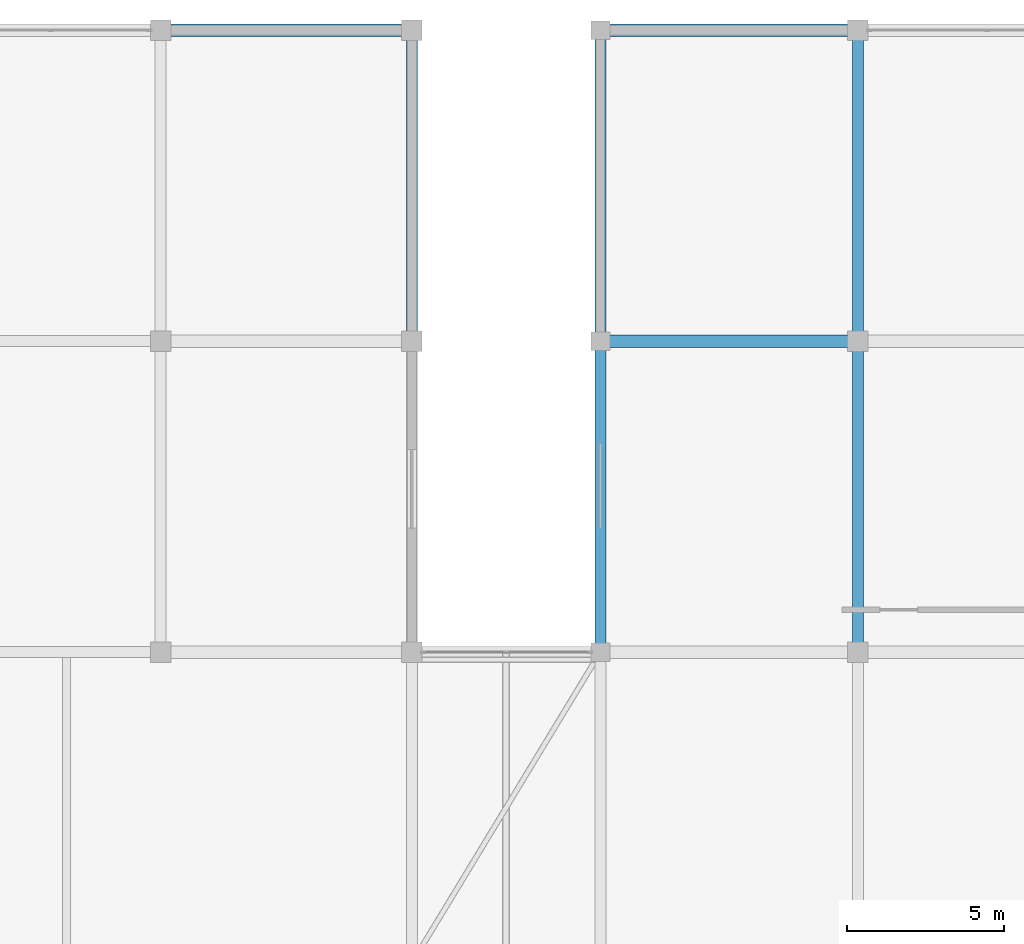
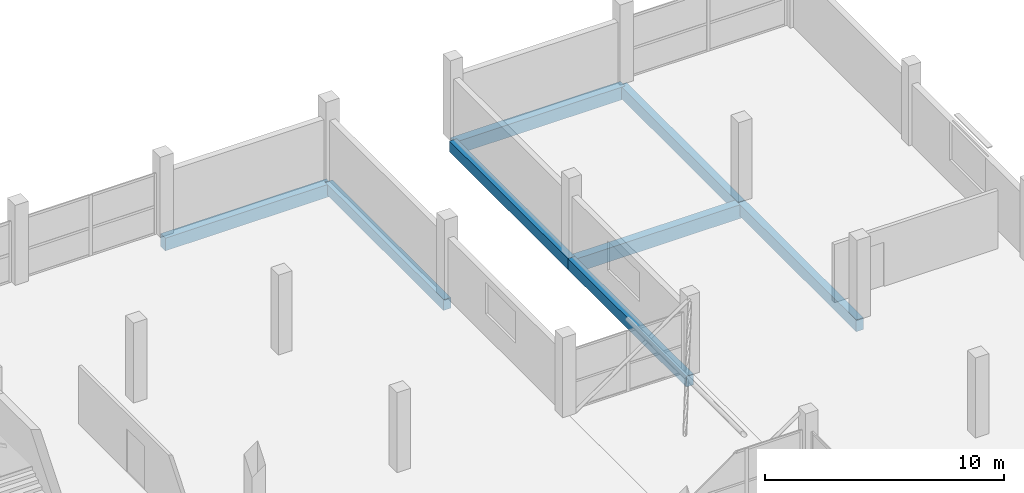
# One storey, part 47 of 66: 8 beams.
"""IFC4 building model written with IfcOpenShell, lengths in metres."""

from ifc_helpers import new_model, si_unit, direction, frame, origin, origin_2d, place, context, subcontext, project, spatial, rectangle, extrude, material, material_profile, profile_set, type_object, element, save


model = new_model("IFC4")

# Units and contexts
model_context = context("Model", 3, precision=1e-05, world=origin(), true_north=direction((0.0, 1.0)))
body_context = subcontext(model_context, "Body", "Model", "MODEL_VIEW")
ifc_project = project(units=[si_unit("LENGTHUNIT", "METRE"), si_unit("AREAUNIT", "SQUARE_METRE"), si_unit("VOLUMEUNIT", "CUBIC_METRE"), si_unit("PLANEANGLEUNIT", "RADIAN"), si_unit("MASSUNIT", "GRAM", prefix="KILO")], contexts=[model_context])

# Site, building, storey
site_placement = place(None, origin())
site = spatial("IfcSite", under=ifc_project, at=site_placement, CompositionType="ELEMENT")
building_placement = place(site_placement, origin())
building = spatial("IfcBuilding", under=site, at=building_placement, Name="Sillaruma Civic Art Gallery", CompositionType="ELEMENT")
storey_placement = place(building_placement, frame((0.0, 0.0, 62.219970703125)))
storey = spatial("IfcBuildingStorey", under=building, at=storey_placement, Name="L12", CompositionType="ELEMENT", Elevation=62.219970703125)

# Beams
ifc_material = material(Name="Concrete H35 (35 MPa)", Category="concrete")
ifc_material_profile_1 = material_profile(ifc_material, rectangle(XDim=0.35009765625, YDim=0.60009765625, at=origin_2d()), Name="RCB350x600")
ifc_profile_set_1 = profile_set([ifc_material_profile_1], Name="Concrete H35 (35 MPa)")
beam_type_1 = type_object("IfcBeamType", Name="BM-BEAM-RCB350x600", PredefinedType="BEAM", material=ifc_profile_set_1)
beam_1_placement = place(storey_placement, frame((106.199951171875, 79.199951171875, -0.530029296875), z_axis=(0.0, 1.0, 0.0), x_axis=(-1.0, 0.0, 0.0)))
element("IfcBeam", 1, at=beam_1_placement, inside=storey, type_object=beam_type_1, Name="Beam BM-06 (L11:M:9-10)", PredefinedType="BEAM", context=body_context, shape_type="SweptSolid", body=[
    extrude(rectangle(XDim=0.35009765625, YDim=0.60009765625, at=origin_2d()), origin(), (0.0, 0.0, 1.0), 9.900146484375),
])
beam_2_placement = place(storey_placement, frame((106.199951171875, 89.10009765625, -0.530029296875), z_axis=(0.0, 1.0, 0.0), x_axis=(-1.0, 0.0, 0.0)))
element("IfcBeam", 2, at=beam_2_placement, inside=storey, type_object=beam_type_1, Name="Beam BM-06 (L11:M:10-11)", PredefinedType="BEAM", context=body_context, shape_type="SweptSolid", body=[
    extrude(rectangle(XDim=0.35009765625, YDim=0.60009765625, at=origin_2d()), origin(), (0.0, 0.0, 1.0), 9.89990234375),
])
ifc_material_profile_2 = material_profile(ifc_material, rectangle(XDim=0.39990234375, YDim=0.699951171875, at=origin_2d()), Name="RCB400x700")
ifc_profile_set_2 = profile_set([ifc_material_profile_2], Name="Concrete H35 (35 MPa)")
beam_type_2 = type_object("IfcBeamType", Name="BM-BEAM-RCB400x700", PredefinedType="BEAM", material=ifc_profile_set_2)
beam_3_placement = place(storey_placement, frame((98.0, 89.10009765625, -0.580078125), z_axis=(1.0, 0.0, 0.0), x_axis=(0.0, 1.0, 0.0)))
element("IfcBeam", 3, at=beam_3_placement, inside=storey, type_object=beam_type_2, Name="Beam BM-04 (L11:10:L-M)", PredefinedType="BEAM", context=body_context, shape_type="SweptSolid", body=[
    extrude(rectangle(XDim=0.39990234375, YDim=0.699951171875, at=origin_2d()), origin(), (0.0, 0.0, 1.0), 8.199951171875),
])
ifc_material_profile_3 = material_profile(ifc_material, rectangle(XDim=0.35009765625, YDim=0.550048828125, at=origin_2d()), Name="RCB350x550")
ifc_profile_set_3 = profile_set([ifc_material_profile_3], Name="Concrete H35 (35 MPa)")
beam_type_3 = type_object("IfcBeamType", Name="BM-SPANDREL-RCB350x550", PredefinedType="SPANDREL", material=ifc_profile_set_3)
beam_4_placement = place(storey_placement, frame((92.0, 89.10009765625, -0.5048828125), z_axis=(0.0, 1.0, 0.0), x_axis=(-1.0, 0.0, 0.0)))
element("IfcBeam", 4, at=beam_4_placement, inside=storey, type_object=beam_type_3, Name="Beam BS-04 (L11:K:10-11)", PredefinedType="SPANDREL", context=body_context, shape_type="SweptSolid", body=[
    extrude(rectangle(XDim=0.35009765625, YDim=0.550048828125, at=origin_2d()), origin(), (0.0, 0.0, 1.0), 9.89990234375),
])
beam_5_placement = place(storey_placement, frame((98.0, 79.199951171875, -0.5048828125), z_axis=(0.0, 1.0, 0.0), x_axis=(-1.0, 0.0, 0.0)))
element("IfcBeam", 5, at=beam_5_placement, inside=storey, type_object=beam_type_3, Name="Beam BS-04 (L11:L:9-10)", PredefinedType="SPANDREL", context=body_context, shape_type="SweptSolid", body=[
    extrude(rectangle(XDim=0.35009765625, YDim=0.550048828125, at=origin_2d()), origin(), (0.0, 0.0, 1.0), 9.900146484375),
])
beam_6_placement = place(storey_placement, frame((98.0, 89.10009765625, -0.5048828125), z_axis=(0.0, 1.0, 0.0), x_axis=(-1.0, 0.0, 0.0)))
element("IfcBeam", 6, at=beam_6_placement, inside=storey, type_object=beam_type_3, Name="Beam BS-04 (L11:L:10-11)", PredefinedType="SPANDREL", context=body_context, shape_type="SweptSolid", body=[
    extrude(rectangle(XDim=0.35009765625, YDim=0.550048828125, at=origin_2d()), origin(), (0.0, 0.0, 1.0), 9.89990234375),
])
ifc_material_profile_4 = material_profile(ifc_material, rectangle(XDim=0.39990234375, YDim=0.64990234375, at=origin_2d()), Name="RCB400x650")
ifc_profile_set_4 = profile_set([ifc_material_profile_4], Name="Concrete H35 (35 MPa)")
beam_type_4 = type_object("IfcBeamType", Name="BM-SPANDREL-RCB400x650", PredefinedType="SPANDREL", material=ifc_profile_set_4)
beam_7_placement = place(storey_placement, frame((84.0, 99.0, -0.554931640625), z_axis=(1.0, 0.0, 0.0), x_axis=(0.0, 1.0, 0.0)))
element("IfcBeam", 7, at=beam_7_placement, inside=storey, type_object=beam_type_4, Name="Beam BS-02 (L11:11:J-K)", PredefinedType="SPANDREL", context=body_context, shape_type="SweptSolid", body=[
    extrude(rectangle(XDim=0.39990234375, YDim=0.64990234375, at=origin_2d()), origin(), (0.0, 0.0, 1.0), 8.0),
])
beam_8_placement = place(storey_placement, frame((98.0, 99.0, -0.554931640625), z_axis=(1.0, 0.0, 0.0), x_axis=(0.0, 1.0, 0.0)))
element("IfcBeam", 8, at=beam_8_placement, inside=storey, type_object=beam_type_4, Name="Beam BS-02 (L11:11:L-M)", PredefinedType="SPANDREL", context=body_context, shape_type="SweptSolid", body=[
    extrude(rectangle(XDim=0.39990234375, YDim=0.64990234375, at=origin_2d()), origin(), (0.0, 0.0, 1.0), 8.199951171875),
])

save(model, "model.ifc")
